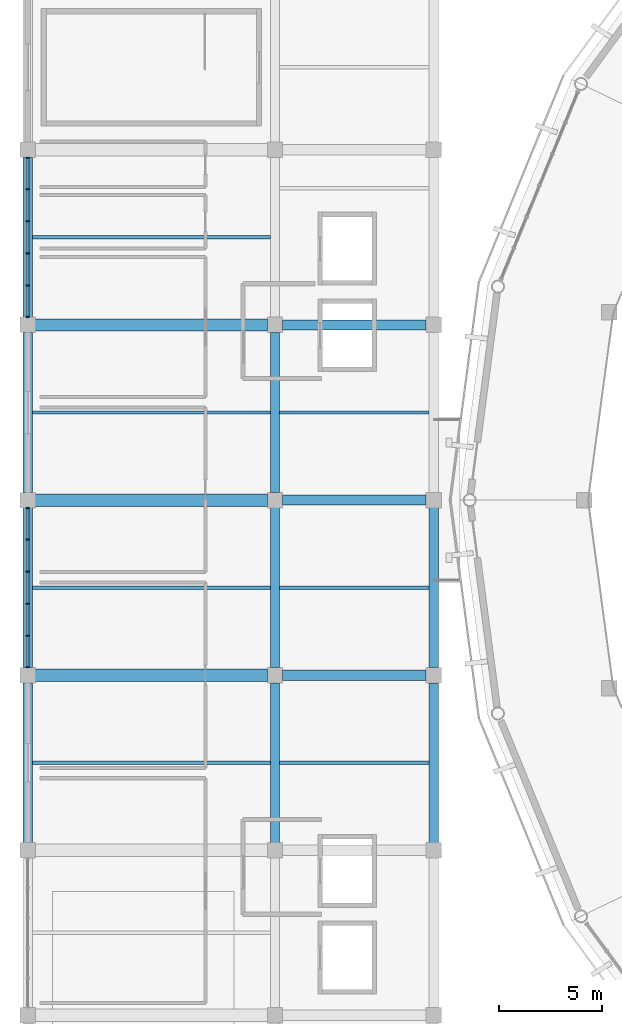
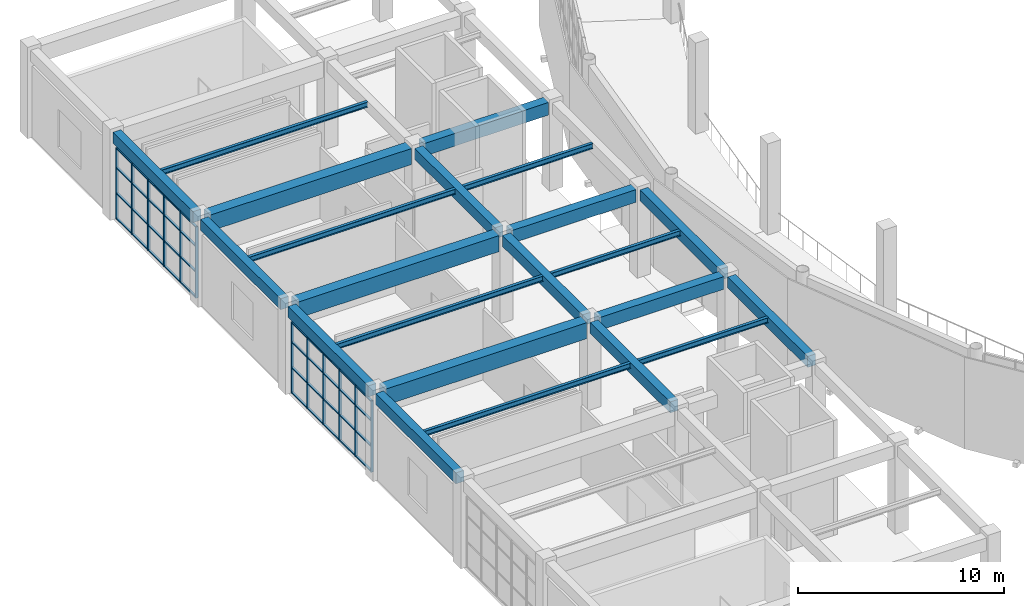
# One storey, part 11 of 40: 52 members, 22 beams, 2 elements without a shape of their own.
"""IFC4 building model written with IfcOpenShell, lengths in metres."""

import ifcopenshell
import ifcopenshell.guid

model = None  # the IFC model being written
_history = None  # IfcOwnerHistory: only IFC2X3 demands one
_inside = {}  # id of a spatial element -> (the spatial element, [elements in it])
_under = {}  # id of a project, library or spatial element -> (it, [spatial elements below it])
_declared = {}  # id of a project -> (the project, [libraries it declares])
_typed = {}  # id of a type object -> (the type object, [elements of that type])
_made_of = {}  # id of a material, layer set ... -> (it, [elements and type objects made of it])


def new_model(schema):
    """Start an empty IFC model of exactly this schema.

    Asked for "IFC4X3", IfcOpenShell would pick the latest addendum, in which some entities
    have other attributes; the version numbers below select the first issue.
    IFC2X3 requires an IfcOwnerHistory on every rooted entity: one is made here for all.
    """
    global model, _history
    if schema == "IFC4X3":
        model = ifcopenshell.file(schema_version=(4, 3, 0, 0))
    else:
        model = ifcopenshell.file(schema=schema)
    _inside.clear()
    _under.clear()
    _declared.clear()
    _typed.clear()
    _made_of.clear()
    _history = None
    if model.schema == "IFC2X3":
        org = make("IfcOrganization", Name="unknown")
        user = make(
            "IfcPersonAndOrganization",
            ThePerson=make("IfcPerson", FamilyName="unknown"),
            TheOrganization=org,
        )
        app = make(
            "IfcApplication",
            ApplicationDeveloper=org,
            Version="unknown",
            ApplicationFullName="unknown",
            ApplicationIdentifier="unknown",
        )
        _history = make(
            "IfcOwnerHistory",
            OwningUser=user,
            OwningApplication=app,
            ChangeAction="ADDED",
            CreationDate=0,
        )
    return model


def make(cls, **values):
    """One entity of the class cls with the attributes given. An attribute that is None is left unset."""
    return model.create_entity(
        cls, **{name: value for name, value in values.items() if value is not None}
    )


def rooted(cls, **values):
    """An entity with a GlobalId (a new one), such as an element, a storey or a relation."""
    return make(cls, GlobalId=ifcopenshell.guid.new(), OwnerHistory=_history, **values)


def si_unit(unit_type, name, prefix=None):
    """IfcSIUnit, for example si_unit("LENGTHUNIT", "METRE", prefix="MILLI")."""
    return make("IfcSIUnit", UnitType=unit_type, Prefix=prefix, Name=name)


def assignment(units):
    """IfcUnitAssignment: the units of a project."""
    return None if units is None else make("IfcUnitAssignment", Units=units)


def point(xyz):
    """IfcCartesianPoint."""
    return None if xyz is None else make("IfcCartesianPoint", Coordinates=xyz)


def direction(xyz):
    """IfcDirection."""
    return None if xyz is None else make("IfcDirection", DirectionRatios=xyz)


def frame(location, z_axis=None, x_axis=None):
    """IfcAxis2Placement3D, a coordinate frame: its origin and axes. An axis left out is left unset."""
    return make(
        "IfcAxis2Placement3D",
        Location=point(location),
        Axis=direction(z_axis),
        RefDirection=direction(x_axis),
    )


def frame_2d(location, x_axis=None):
    """IfcAxis2Placement2D, a coordinate frame in the plane: its origin and x axis."""
    return make(
        "IfcAxis2Placement2D", Location=point(location), RefDirection=direction(x_axis)
    )


def origin():
    """The frame at (0, 0, 0) with its axes left unset."""
    return frame((0.0, 0.0, 0.0))


def origin_2d():
    """The frame at (0, 0) in the plane with its x axis left unset."""
    return frame_2d((0.0, 0.0))


def place(relative_to, where):
    """IfcLocalPlacement: puts the frame where relative to a parent placement (None: the world)."""
    return make(
        "IfcLocalPlacement", PlacementRelTo=relative_to, RelativePlacement=where
    )


def context(
    kind, dimensions, precision=None, world=None, true_north=None, identifier=None
):
    """IfcGeometricRepresentationContext, for example the 3D "Model" context."""
    return make(
        "IfcGeometricRepresentationContext",
        ContextIdentifier=identifier,
        ContextType=kind,
        CoordinateSpaceDimension=dimensions,
        Precision=precision,
        WorldCoordinateSystem=world,
        TrueNorth=true_north,
    )


def subcontext(parent, identifier, kind, view, scale=None):
    """IfcGeometricRepresentationSubContext, for example "Body" below "Model"."""
    return make(
        "IfcGeometricRepresentationSubContext",
        ContextIdentifier=identifier,
        ContextType=kind,
        ParentContext=parent,
        TargetScale=scale,
        TargetView=view,
    )


def project(units=None, contexts=None):
    """IfcProject with its units and contexts."""
    return rooted(
        "IfcProject",
        Name="project",
        RepresentationContexts=contexts,
        UnitsInContext=assignment(units),
    )


def spatial(cls, under=None, at=None, **own):
    """A site, building, storey or space (cls), placed at a placement, below another one or the project."""
    s = rooted(cls, ObjectPlacement=at, **own)
    if under is not None:
        _under.setdefault(under.id(), (under, []))[1].append(s)
    return s


def profile(cls, at=None, kind="AREA", **sizes):
    """A parametric profile (cls). Its sizes go by their IFC names, for example OverallWidth=200.0."""
    return make(cls, ProfileType=kind, Position=at, **sizes)


def rectangle(**sizes):
    """IfcRectangleProfileDef."""
    return profile("IfcRectangleProfileDef", **sizes)


def i_section(**sizes):
    """IfcIShapeProfileDef."""
    return profile("IfcIShapeProfileDef", **sizes)


def extrude(swept, where, along, depth):
    """IfcExtrudedAreaSolid: the profile swept, set in the frame where, extruded along a direction by depth."""
    return make(
        "IfcExtrudedAreaSolid",
        SweptArea=swept,
        Position=where,
        ExtrudedDirection=direction(along),
        Depth=depth,
    )


def shape(context_of_items, identifier, shape_type, items):
    """IfcShapeRepresentation: the items that make up one representation, for example the "Body"."""
    return make(
        "IfcShapeRepresentation",
        ContextOfItems=context_of_items,
        RepresentationIdentifier=identifier,
        RepresentationType=shape_type,
        Items=items,
    )


def material(Name=None, Category=None):
    """IfcMaterial."""
    return make("IfcMaterial", Name=Name, Category=Category)


def material_profile(
    of_material, cross_section, Name=None, Category=None, Priority=None
):
    """IfcMaterialProfile: a cross section and its material."""
    return make(
        "IfcMaterialProfile",
        Name=Name,
        Material=of_material,
        Profile=cross_section,
        Priority=Priority,
        Category=Category,
    )


def profile_set(profiles, Name=None, composite=None):
    """IfcMaterialProfileSet."""
    return make(
        "IfcMaterialProfileSet",
        Name=Name,
        MaterialProfiles=profiles,
        CompositeProfile=composite,
    )


def made_of(thing, what):
    """Note that an element or type object is made of a material, layer set ...; save() writes the relation."""
    if what is not None:
        _made_of.setdefault(what.id(), (what, []))[1].append(thing)
    return thing


def type_object(cls, material=None, **own):
    """A type object (cls), such as IfcWallType, which elements share."""
    return made_of(rooted(cls, **own), material)


def element(
    cls,
    number,
    at=None,
    inside=None,
    cuts=None,
    type_object=None,
    material=None,
    context=None,
    identifier="Body",
    shape_type=None,
    held_by="IfcProductDefinitionShape",
    body=None,
    shapes=None,
    **own,
):
    """One element of the class cls, such as IfcWall. Its Tag is "e" and its number.

    at: its placement. inside: the storey or other place that contains it. cuts: it is an
    opening in that element (IfcRelVoidsElement). A single representation is given by context,
    identifier, shape_type and body (its items); several are given by shapes. held_by: the class
    of the entity that holds the representations. save() writes the other relations.
    """
    e = rooted(cls, Tag="e%d" % number, ObjectPlacement=at, **own)
    if body is not None:
        shapes = [shape(context, identifier, shape_type, body)]
    if shapes is not None:
        e.Representation = make(held_by, Representations=shapes)
    if inside is not None:
        _inside.setdefault(inside.id(), (inside, []))[1].append(e)
    if cuts is not None:
        rooted(
            "IfcRelVoidsElement", RelatingBuildingElement=cuts, RelatedOpeningElement=e
        )
    if type_object is not None:
        _typed.setdefault(type_object.id(), (type_object, []))[1].append(e)
    return made_of(e, material)


def aggregate(whole, parts):
    """IfcRelAggregates: a whole, such as a stair, and the parts it consists of."""
    return rooted("IfcRelAggregates", RelatingObject=whole, RelatedObjects=parts)


def save(model, path):
    """Write the relations noted so far, then the file.

    IfcRelAggregates (storeys below a building ...), IfcRelContainedInSpatialStructure (elements
    in a storey), IfcRelDefinesByType, IfcRelAssociatesMaterial and IfcRelDeclares: one each for
    every whole, place, type object, material and project.
    """
    for whole, parts in _under.values():
        aggregate(whole, parts)
    for where, things in _inside.values():
        rooted(
            "IfcRelContainedInSpatialStructure",
            RelatedElements=things,
            RelatingStructure=where,
        )
    for kind, things in _typed.values():
        rooted("IfcRelDefinesByType", RelatedObjects=things, RelatingType=kind)
    for what, things in _made_of.values():
        rooted("IfcRelAssociatesMaterial", RelatedObjects=things, RelatingMaterial=what)
    for by, libraries in _declared.values():
        rooted("IfcRelDeclares", RelatingContext=by, RelatedDefinitions=libraries)
    model.write(path)


model = new_model("IFC4")

# Units and contexts
model_context = context("Model", 3, precision=1e-05, world=origin(), true_north=direction((0.0, 1.0)))
body_context = subcontext(model_context, "Body", "Model", "MODEL_VIEW")
ifc_project = project(units=[si_unit("LENGTHUNIT", "METRE"), si_unit("AREAUNIT", "SQUARE_METRE"), si_unit("VOLUMEUNIT", "CUBIC_METRE"), si_unit("PLANEANGLEUNIT", "RADIAN"), si_unit("MASSUNIT", "GRAM", prefix="KILO")], contexts=[model_context])

# Site, building, storey
site_placement = place(None, origin())
site = spatial("IfcSite", under=ifc_project, at=site_placement, CompositionType="ELEMENT")
building_placement = place(site_placement, origin())
building = spatial("IfcBuilding", under=site, at=building_placement, Name="Cuetzalor Civic Arena", CompositionType="ELEMENT")
storey_placement = place(building_placement, frame((0.0, 0.0, 26.39990234375)))
storey = spatial("IfcBuildingStorey", under=building, at=storey_placement, Name="L05", CompositionType="ELEMENT", Elevation=26.39990234375)

# Beams
ifc_material_1 = material(Name="Concrete C40/50", Category="concrete")
ifc_material_profile_1 = material_profile(ifc_material_1, rectangle(XDim=0.5, YDim=0.75, at=origin_2d()), Name="RC 500x750")
ifc_profile_set_1 = profile_set([ifc_material_profile_1], Name="Concrete C40/50")
beam_type_1 = type_object("IfcBeamType", Name="ConcreteFrameBeam_500x750", PredefinedType="BEAM", material=ifc_profile_set_1)
for number, where, z_axis, x_axis, name in (
    (1, (-63.635009765625, -8.5, 4.80517578125), (1.0, 0.0, 0.0), (0.0, 1.0, 0.0), "Frame Girder V4W-L05-X1214"),
    (2, (-63.635009765625, 0.0, 4.80517578125), (1.0, 0.0, 0.0), (0.0, 1.0, 0.0), "Frame Girder V4W-L05-X1216"),
    (3, (-63.635009765625, 8.5, 4.80517578125), (1.0, 0.0, 0.0), (0.0, 1.0, 0.0), "Frame Girder V4W-L05-X1218"),
):
    element("IfcBeam", number, at=place(storey_placement, frame(where, z_axis=z_axis, x_axis=x_axis)), inside=storey, type_object=beam_type_1, Name=name, PredefinedType="BEAM", context=body_context, shape_type="SweptSolid", body=[
        extrude(rectangle(XDim=0.5, YDim=0.75, at=origin_2d()), origin(), (0.0, 0.0, 1.0), 6.969970703125),
    ])
ifc_material_2 = material(Name="Concrete C40/50", Category="concrete")
ifc_material_profile_2 = material_profile(ifc_material_2, rectangle(XDim=0.60009765625, YDim=0.949951171875, at=origin_2d()), Name="RC 600x950")
ifc_profile_set_2 = profile_set([ifc_material_profile_2], Name="Concrete C40/50")
beam_type_2 = type_object("IfcBeamType", Name="ConcreteFrameBeam_600x950", PredefinedType="BEAM", material=ifc_profile_set_2)
for number, where, z_axis, x_axis, name in (
    (4, (-75.635009765625, -8.5, 4.705078125), (1.0, 0.0, 0.0), (0.0, 1.0, 0.0), "Frame Girder V4W-L05-X1213"),
    (5, (-75.635009765625, 0.0, 4.705078125), (1.0, 0.0, 0.0), (0.0, 1.0, 0.0), "Frame Girder V4W-L05-X1215"),
    (6, (-75.635009765625, 8.5, 4.705078125), (1.0, 0.0, 0.0), (0.0, 1.0, 0.0), "Frame Girder V4W-L05-X1217"),
):
    element("IfcBeam", number, at=place(storey_placement, frame(where, z_axis=z_axis, x_axis=x_axis)), inside=storey, type_object=beam_type_2, Name=name, PredefinedType="BEAM", context=body_context, shape_type="SweptSolid", body=[
        extrude(rectangle(XDim=0.60009765625, YDim=0.949951171875, at=origin_2d()), origin(), (0.0, 0.0, 1.0), 11.27001953125),
    ])
ifc_material_3 = material(Name="Concrete C40/50", Category="concrete")
ifc_material_profile_3 = material_profile(ifc_material_3, rectangle(XDim=0.449951171875, YDim=0.64990234375, at=origin_2d()), Name="RC 450x650")
ifc_profile_set_3 = profile_set([ifc_material_profile_3], Name="Concrete C40/50")
beam_type_3 = type_object("IfcBeamType", Name="ConcreteTieBeam_450x650", PredefinedType="BEAM", material=ifc_profile_set_3)
for number, where, z_axis, x_axis, name in (
    (7, (-76.0, -16.635009765625, 4.85498046875), (0.0, 1.0, 0.0), (-1.0, 0.0, 0.0), "Frame Girder V4W-L05-Y1225"),
    (8, (-76.0, -8.135009765625, 4.85498046875), (0.0, 1.0, 0.0), (-1.0, 0.0, 0.0), "Frame Girder V4W-L05-Y1226"),
    (9, (-76.0, 0.364990234375, 4.85498046875), (0.0, 1.0, 0.0), (-1.0, 0.0, 0.0), "Frame Girder V4W-L05-Y1227"),
    (10, (-76.0, 8.864990234375, 4.85498046875), (0.0, 1.0, 0.0), (-1.0, 0.0, 0.0), "Frame Girder V4W-L05-Y1228"),
    (11, (-64.0, -16.635009765625, 4.85498046875), (0.0, 1.0, 0.0), (-1.0, 0.0, 0.0), "Frame Girder V4W-L05-Y1232"),
    (12, (-64.0, -8.135009765625, 4.85498046875), (0.0, 1.0, 0.0), (-1.0, 0.0, 0.0), "Frame Girder V4W-L05-Y1233"),
    (13, (-64.0, 0.364990234375, 4.85498046875), (0.0, 1.0, 0.0), (-1.0, 0.0, 0.0), "Frame Girder V4W-L05-Y1234"),
    (14, (-56.300048828125, -16.635009765625, 4.85498046875), (0.0, 1.0, 0.0), (-1.0, 0.0, 0.0), "Frame Girder V4W-L05-Y1239"),
    (15, (-56.300048828125, -8.135009765625, 4.85498046875), (0.0, 1.0, 0.0), (-1.0, 0.0, 0.0), "Frame Girder V4W-L05-Y1240"),
):
    element("IfcBeam", number, at=place(storey_placement, frame(where, z_axis=z_axis, x_axis=x_axis)), inside=storey, type_object=beam_type_3, Name=name, PredefinedType="BEAM", context=body_context, shape_type="SweptSolid", body=[
        extrude(rectangle(XDim=0.449951171875, YDim=0.64990234375, at=origin_2d()), origin(), (0.0, 0.0, 1.0), 7.77001953125),
    ])

# Curtain wall, members
ifc_material_4 = material(Name="Anodised dark bronze aluminium and low-E solar glass", Category="aluminium")
curtain_wall_type = type_object("IfcCurtainWallType", Name="UnitisedCW_7800x4200", PredefinedType="USERDEFINED", material=ifc_material_4)
curtain_wall_1_placement = place(storey_placement, origin())
curtain_wall_1 = element("IfcCurtainWall", 16, at=curtain_wall_1_placement, inside=storey, type_object=curtain_wall_type, Name="V4W Media Broadcast Curtain Wall L05-128", ObjectType="UNITISED CURTAIN WALL", PredefinedType="USERDEFINED")
ifc_material_5 = material(Name="Anodised dark bronze aluminium", Category="aluminium")
ifc_material_profile_4 = material_profile(ifc_material_5, rectangle(XDim=0.06494140625, YDim=0.14990234375, at=origin_2d()), Name="ALU MULLION 65x150")
ifc_profile_set_4 = profile_set([ifc_material_profile_4], Name="Anodised dark bronze aluminium")
member_type_1 = type_object("IfcMemberType", Name="CurtainWallMullion_60x150", PredefinedType="MULLION", material=ifc_profile_set_4)
member_1_placement = place(storey_placement, frame((-76.0, -8.110595703125, 0.0), z_axis=(0.0, 0.0, 1.0), x_axis=(0.0, 1.0, 0.0)))
member_1 = element("IfcMember", 17, at=member_1_placement, type_object=member_type_1, Name="CW-50 mullion 1", PredefinedType="MULLION", context=body_context, shape_type="SweptSolid", body=[
    extrude(rectangle(XDim=0.06494140625, YDim=0.14990234375, at=origin_2d()), origin(), (0.0, 0.0, 1.0), 4.22021484375),
])
member_2_placement = place(storey_placement, frame((-76.0, -6.585693359375, 0.0), z_axis=(0.0, 0.0, 1.0), x_axis=(0.0, 1.0, 0.0)))
member_2 = element("IfcMember", 18, at=member_2_placement, type_object=member_type_1, Name="CW-50 mullion 2", PredefinedType="MULLION", context=body_context, shape_type="SweptSolid", body=[
    extrude(rectangle(XDim=0.06494140625, YDim=0.14990234375, at=origin_2d()), origin(), (0.0, 0.0, 1.0), 4.22021484375),
])
member_3_placement = place(storey_placement, frame((-76.0, -5.028564453125, 0.0), z_axis=(0.0, 0.0, 1.0), x_axis=(0.0, 1.0, 0.0)))
member_3 = element("IfcMember", 19, at=member_3_placement, type_object=member_type_1, Name="CW-50 mullion 3", PredefinedType="MULLION", context=body_context, shape_type="SweptSolid", body=[
    extrude(rectangle(XDim=0.06494140625, YDim=0.14990234375, at=origin_2d()), origin(), (0.0, 0.0, 1.0), 4.22021484375),
])
member_4_placement = place(storey_placement, frame((-76.0, -3.471435546875, 0.0), z_axis=(0.0, 0.0, 1.0), x_axis=(0.0, 1.0, 0.0)))
member_4 = element("IfcMember", 20, at=member_4_placement, type_object=member_type_1, Name="CW-50 mullion 4", PredefinedType="MULLION", context=body_context, shape_type="SweptSolid", body=[
    extrude(rectangle(XDim=0.06494140625, YDim=0.14990234375, at=origin_2d()), origin(), (0.0, 0.0, 1.0), 4.22021484375),
])
member_5_placement = place(storey_placement, frame((-76.0, -1.914306640625, 0.0), z_axis=(0.0, 0.0, 1.0), x_axis=(0.0, 1.0, 0.0)))
member_5 = element("IfcMember", 21, at=member_5_placement, type_object=member_type_1, Name="CW-50 mullion 5", PredefinedType="MULLION", context=body_context, shape_type="SweptSolid", body=[
    extrude(rectangle(XDim=0.06494140625, YDim=0.14990234375, at=origin_2d()), origin(), (0.0, 0.0, 1.0), 4.22021484375),
])
member_6_placement = place(storey_placement, frame((-76.0, -0.389404296875, 0.0), z_axis=(0.0, 0.0, 1.0), x_axis=(0.0, 1.0, 0.0)))
member_6 = element("IfcMember", 22, at=member_6_placement, type_object=member_type_1, Name="CW-50 mullion 6", PredefinedType="MULLION", context=body_context, shape_type="SweptSolid", body=[
    extrude(rectangle(XDim=0.06494140625, YDim=0.14990234375, at=origin_2d()), origin(), (0.0, 0.0, 1.0), 4.22021484375),
])

curtain_wall_2_placement = place(storey_placement, origin())
curtain_wall_2 = element("IfcCurtainWall", 23, at=curtain_wall_2_placement, inside=storey, type_object=curtain_wall_type, Name="V4W Media Broadcast Curtain Wall L05-129", ObjectType="UNITISED CURTAIN WALL", PredefinedType="USERDEFINED")
member_7_placement = place(storey_placement, frame((-76.0, 8.889404296875, 0.0), z_axis=(0.0, 0.0, 1.0), x_axis=(0.0, 1.0, 0.0)))
member_7 = element("IfcMember", 24, at=member_7_placement, type_object=member_type_1, Name="CW-50 mullion 1", PredefinedType="MULLION", context=body_context, shape_type="SweptSolid", body=[
    extrude(rectangle(XDim=0.06494140625, YDim=0.14990234375, at=origin_2d()), origin(), (0.0, 0.0, 1.0), 4.22021484375),
])
member_8_placement = place(storey_placement, frame((-76.0, 10.414306640625, 0.0), z_axis=(0.0, 0.0, 1.0), x_axis=(0.0, 1.0, 0.0)))
member_8 = element("IfcMember", 25, at=member_8_placement, type_object=member_type_1, Name="CW-50 mullion 2", PredefinedType="MULLION", context=body_context, shape_type="SweptSolid", body=[
    extrude(rectangle(XDim=0.06494140625, YDim=0.14990234375, at=origin_2d()), origin(), (0.0, 0.0, 1.0), 4.22021484375),
])
member_9_placement = place(storey_placement, frame((-76.0, 11.971435546875, 0.0), z_axis=(0.0, 0.0, 1.0), x_axis=(0.0, 1.0, 0.0)))
member_9 = element("IfcMember", 26, at=member_9_placement, type_object=member_type_1, Name="CW-50 mullion 3", PredefinedType="MULLION", context=body_context, shape_type="SweptSolid", body=[
    extrude(rectangle(XDim=0.06494140625, YDim=0.14990234375, at=origin_2d()), origin(), (0.0, 0.0, 1.0), 4.22021484375),
])
member_10_placement = place(storey_placement, frame((-76.0, 13.528564453125, 0.0), z_axis=(0.0, 0.0, 1.0), x_axis=(0.0, 1.0, 0.0)))
member_10 = element("IfcMember", 27, at=member_10_placement, type_object=member_type_1, Name="CW-50 mullion 4", PredefinedType="MULLION", context=body_context, shape_type="SweptSolid", body=[
    extrude(rectangle(XDim=0.06494140625, YDim=0.14990234375, at=origin_2d()), origin(), (0.0, 0.0, 1.0), 4.22021484375),
])
member_11_placement = place(storey_placement, frame((-76.0, 15.085693359375, 0.0), z_axis=(0.0, 0.0, 1.0), x_axis=(0.0, 1.0, 0.0)))
member_11 = element("IfcMember", 28, at=member_11_placement, type_object=member_type_1, Name="CW-50 mullion 5", PredefinedType="MULLION", context=body_context, shape_type="SweptSolid", body=[
    extrude(rectangle(XDim=0.06494140625, YDim=0.14990234375, at=origin_2d()), origin(), (0.0, 0.0, 1.0), 4.22021484375),
])
member_12_placement = place(storey_placement, frame((-76.0, 16.610595703125, 0.0), z_axis=(0.0, 0.0, 1.0), x_axis=(0.0, 1.0, 0.0)))
member_12 = element("IfcMember", 29, at=member_12_placement, type_object=member_type_1, Name="CW-50 mullion 6", PredefinedType="MULLION", context=body_context, shape_type="SweptSolid", body=[
    extrude(rectangle(XDim=0.06494140625, YDim=0.14990234375, at=origin_2d()), origin(), (0.0, 0.0, 1.0), 4.22021484375),
])

# Member
ifc_material_6 = material(Name="Anodised dark bronze aluminium", Category="aluminium")
ifc_material_profile_5 = material_profile(ifc_material_6, rectangle(XDim=0.1201171875, YDim=0.06494140625, at=origin_2d()), Name="ALU TRANSOM 65x120")
ifc_profile_set_5 = profile_set([ifc_material_profile_5], Name="Anodised dark bronze aluminium")
member_type_2 = type_object("IfcMemberType", Name="CurtainWallTransom_60x120", PredefinedType="USERDEFINED", material=ifc_profile_set_5)
member_13_placement = place(storey_placement, frame((-76.0, -8.077880859375, 0.03271484375), z_axis=(0.0, 1.0, 0.0), x_axis=(-1.0, 0.0, 0.0)))
member_13 = element("IfcMember", 30, at=member_13_placement, type_object=member_type_2, Name="CW-50 transom 1.1", ObjectType="TRANSOM", PredefinedType="USERDEFINED", context=body_context, shape_type="SweptSolid", body=[
    extrude(rectangle(XDim=0.1201171875, YDim=0.06494140625, at=origin_2d()), origin(), (0.0, 0.0, 1.0), 1.45947265625),
])

member_14_placement = place(storey_placement, frame((-76.0, -8.077880859375, 1.51904296875), z_axis=(0.0, 1.0, 0.0), x_axis=(-1.0, 0.0, 0.0)))
member_14 = element("IfcMember", 31, at=member_14_placement, type_object=member_type_2, Name="CW-50 transom 1.2", ObjectType="TRANSOM", PredefinedType="USERDEFINED", context=body_context, shape_type="SweptSolid", body=[
    extrude(rectangle(XDim=0.1201171875, YDim=0.06494140625, at=origin_2d()), origin(), (0.0, 0.0, 1.0), 1.45947265625),
])

member_15_placement = place(storey_placement, frame((-76.0, -8.077880859375, 3.0380859375), z_axis=(0.0, 1.0, 0.0), x_axis=(-1.0, 0.0, 0.0)))
member_15 = element("IfcMember", 32, at=member_15_placement, type_object=member_type_2, Name="CW-50 transom 1.3", ObjectType="TRANSOM", PredefinedType="USERDEFINED", context=body_context, shape_type="SweptSolid", body=[
    extrude(rectangle(XDim=0.1201171875, YDim=0.06494140625, at=origin_2d()), origin(), (0.0, 0.0, 1.0), 1.45947265625),
])

member_16_placement = place(storey_placement, frame((-76.0, -8.077880859375, 4.1875), z_axis=(0.0, 1.0, 0.0), x_axis=(-1.0, 0.0, 0.0)))
member_16 = element("IfcMember", 33, at=member_16_placement, type_object=member_type_2, Name="CW-50 transom 1.4", ObjectType="TRANSOM", PredefinedType="USERDEFINED", context=body_context, shape_type="SweptSolid", body=[
    extrude(rectangle(XDim=0.1201171875, YDim=0.06494140625, at=origin_2d()), origin(), (0.0, 0.0, 1.0), 1.45947265625),
])

member_17_placement = place(storey_placement, frame((-76.0, -6.55322265625, 0.03271484375), z_axis=(0.0, 1.0, 0.0), x_axis=(-1.0, 0.0, 0.0)))
member_17 = element("IfcMember", 34, at=member_17_placement, type_object=member_type_2, Name="CW-50 transom 2.1", ObjectType="TRANSOM", PredefinedType="USERDEFINED", context=body_context, shape_type="SweptSolid", body=[
    extrude(rectangle(XDim=0.1201171875, YDim=0.06494140625, at=origin_2d()), origin(), (0.0, 0.0, 1.0), 1.4921875),
])

member_18_placement = place(storey_placement, frame((-76.0, -6.55322265625, 1.51904296875), z_axis=(0.0, 1.0, 0.0), x_axis=(-1.0, 0.0, 0.0)))
member_18 = element("IfcMember", 35, at=member_18_placement, type_object=member_type_2, Name="CW-50 transom 2.2", ObjectType="TRANSOM", PredefinedType="USERDEFINED", context=body_context, shape_type="SweptSolid", body=[
    extrude(rectangle(XDim=0.1201171875, YDim=0.06494140625, at=origin_2d()), origin(), (0.0, 0.0, 1.0), 1.4921875),
])

member_19_placement = place(storey_placement, frame((-76.0, -6.55322265625, 3.0380859375), z_axis=(0.0, 1.0, 0.0), x_axis=(-1.0, 0.0, 0.0)))
member_19 = element("IfcMember", 36, at=member_19_placement, type_object=member_type_2, Name="CW-50 transom 2.3", ObjectType="TRANSOM", PredefinedType="USERDEFINED", context=body_context, shape_type="SweptSolid", body=[
    extrude(rectangle(XDim=0.1201171875, YDim=0.06494140625, at=origin_2d()), origin(), (0.0, 0.0, 1.0), 1.4921875),
])

member_20_placement = place(storey_placement, frame((-76.0, -6.55322265625, 4.1875), z_axis=(0.0, 1.0, 0.0), x_axis=(-1.0, 0.0, 0.0)))
member_20 = element("IfcMember", 37, at=member_20_placement, type_object=member_type_2, Name="CW-50 transom 2.4", ObjectType="TRANSOM", PredefinedType="USERDEFINED", context=body_context, shape_type="SweptSolid", body=[
    extrude(rectangle(XDim=0.1201171875, YDim=0.06494140625, at=origin_2d()), origin(), (0.0, 0.0, 1.0), 1.4921875),
])

member_21_placement = place(storey_placement, frame((-76.0, -4.99609375, 0.03271484375), z_axis=(0.0, 1.0, 0.0), x_axis=(-1.0, 0.0, 0.0)))
member_21 = element("IfcMember", 38, at=member_21_placement, type_object=member_type_2, Name="CW-50 transom 3.1", ObjectType="TRANSOM", PredefinedType="USERDEFINED", context=body_context, shape_type="SweptSolid", body=[
    extrude(rectangle(XDim=0.1201171875, YDim=0.06494140625, at=origin_2d()), origin(), (0.0, 0.0, 1.0), 1.4921875),
])

member_22_placement = place(storey_placement, frame((-76.0, -4.99609375, 1.51904296875), z_axis=(0.0, 1.0, 0.0), x_axis=(-1.0, 0.0, 0.0)))
member_22 = element("IfcMember", 39, at=member_22_placement, type_object=member_type_2, Name="CW-50 transom 3.2", ObjectType="TRANSOM", PredefinedType="USERDEFINED", context=body_context, shape_type="SweptSolid", body=[
    extrude(rectangle(XDim=0.1201171875, YDim=0.06494140625, at=origin_2d()), origin(), (0.0, 0.0, 1.0), 1.4921875),
])

member_23_placement = place(storey_placement, frame((-76.0, -4.99609375, 3.0380859375), z_axis=(0.0, 1.0, 0.0), x_axis=(-1.0, 0.0, 0.0)))
member_23 = element("IfcMember", 40, at=member_23_placement, type_object=member_type_2, Name="CW-50 transom 3.3", ObjectType="TRANSOM", PredefinedType="USERDEFINED", context=body_context, shape_type="SweptSolid", body=[
    extrude(rectangle(XDim=0.1201171875, YDim=0.06494140625, at=origin_2d()), origin(), (0.0, 0.0, 1.0), 1.4921875),
])

member_24_placement = place(storey_placement, frame((-76.0, -4.99609375, 4.1875), z_axis=(0.0, 1.0, 0.0), x_axis=(-1.0, 0.0, 0.0)))
member_24 = element("IfcMember", 41, at=member_24_placement, type_object=member_type_2, Name="CW-50 transom 3.4", ObjectType="TRANSOM", PredefinedType="USERDEFINED", context=body_context, shape_type="SweptSolid", body=[
    extrude(rectangle(XDim=0.1201171875, YDim=0.06494140625, at=origin_2d()), origin(), (0.0, 0.0, 1.0), 1.4921875),
])

member_25_placement = place(storey_placement, frame((-76.0, -3.43896484375, 0.03271484375), z_axis=(0.0, 1.0, 0.0), x_axis=(-1.0, 0.0, 0.0)))
member_25 = element("IfcMember", 42, at=member_25_placement, type_object=member_type_2, Name="CW-50 transom 4.1", ObjectType="TRANSOM", PredefinedType="USERDEFINED", context=body_context, shape_type="SweptSolid", body=[
    extrude(rectangle(XDim=0.1201171875, YDim=0.06494140625, at=origin_2d()), origin(), (0.0, 0.0, 1.0), 1.4921875),
])

member_26_placement = place(storey_placement, frame((-76.0, -3.43896484375, 1.51904296875), z_axis=(0.0, 1.0, 0.0), x_axis=(-1.0, 0.0, 0.0)))
member_26 = element("IfcMember", 43, at=member_26_placement, type_object=member_type_2, Name="CW-50 transom 4.2", ObjectType="TRANSOM", PredefinedType="USERDEFINED", context=body_context, shape_type="SweptSolid", body=[
    extrude(rectangle(XDim=0.1201171875, YDim=0.06494140625, at=origin_2d()), origin(), (0.0, 0.0, 1.0), 1.4921875),
])

member_27_placement = place(storey_placement, frame((-76.0, -3.43896484375, 3.0380859375), z_axis=(0.0, 1.0, 0.0), x_axis=(-1.0, 0.0, 0.0)))
member_27 = element("IfcMember", 44, at=member_27_placement, type_object=member_type_2, Name="CW-50 transom 4.3", ObjectType="TRANSOM", PredefinedType="USERDEFINED", context=body_context, shape_type="SweptSolid", body=[
    extrude(rectangle(XDim=0.1201171875, YDim=0.06494140625, at=origin_2d()), origin(), (0.0, 0.0, 1.0), 1.4921875),
])

member_28_placement = place(storey_placement, frame((-76.0, -3.43896484375, 4.1875), z_axis=(0.0, 1.0, 0.0), x_axis=(-1.0, 0.0, 0.0)))
member_28 = element("IfcMember", 45, at=member_28_placement, type_object=member_type_2, Name="CW-50 transom 4.4", ObjectType="TRANSOM", PredefinedType="USERDEFINED", context=body_context, shape_type="SweptSolid", body=[
    extrude(rectangle(XDim=0.1201171875, YDim=0.06494140625, at=origin_2d()), origin(), (0.0, 0.0, 1.0), 1.4921875),
])

member_29_placement = place(storey_placement, frame((-76.0, -1.881591796875, 0.03271484375), z_axis=(0.0, 1.0, 0.0), x_axis=(-1.0, 0.0, 0.0)))
member_29 = element("IfcMember", 46, at=member_29_placement, type_object=member_type_2, Name="CW-50 transom 5.1", ObjectType="TRANSOM", PredefinedType="USERDEFINED", context=body_context, shape_type="SweptSolid", body=[
    extrude(rectangle(XDim=0.1201171875, YDim=0.06494140625, at=origin_2d()), origin(), (0.0, 0.0, 1.0), 1.45947265625),
])

member_30_placement = place(storey_placement, frame((-76.0, -1.881591796875, 1.51904296875), z_axis=(0.0, 1.0, 0.0), x_axis=(-1.0, 0.0, 0.0)))
member_30 = element("IfcMember", 47, at=member_30_placement, type_object=member_type_2, Name="CW-50 transom 5.2", ObjectType="TRANSOM", PredefinedType="USERDEFINED", context=body_context, shape_type="SweptSolid", body=[
    extrude(rectangle(XDim=0.1201171875, YDim=0.06494140625, at=origin_2d()), origin(), (0.0, 0.0, 1.0), 1.45947265625),
])

member_31_placement = place(storey_placement, frame((-76.0, -1.881591796875, 3.0380859375), z_axis=(0.0, 1.0, 0.0), x_axis=(-1.0, 0.0, 0.0)))
member_31 = element("IfcMember", 48, at=member_31_placement, type_object=member_type_2, Name="CW-50 transom 5.3", ObjectType="TRANSOM", PredefinedType="USERDEFINED", context=body_context, shape_type="SweptSolid", body=[
    extrude(rectangle(XDim=0.1201171875, YDim=0.06494140625, at=origin_2d()), origin(), (0.0, 0.0, 1.0), 1.45947265625),
])

member_32_placement = place(storey_placement, frame((-76.0, -1.881591796875, 4.1875), z_axis=(0.0, 1.0, 0.0), x_axis=(-1.0, 0.0, 0.0)))
member_32 = element("IfcMember", 49, at=member_32_placement, type_object=member_type_2, Name="CW-50 transom 5.4", ObjectType="TRANSOM", PredefinedType="USERDEFINED", context=body_context, shape_type="SweptSolid", body=[
    extrude(rectangle(XDim=0.1201171875, YDim=0.06494140625, at=origin_2d()), origin(), (0.0, 0.0, 1.0), 1.45947265625),
])

aggregate(curtain_wall_1, [member_1, member_2, member_3, member_4, member_5, member_6, member_13, member_14, member_15, member_16, member_17, member_18, member_19, member_20, member_21, member_22, member_23, member_24, member_25, member_26, member_27, member_28, member_29, member_30, member_31, member_32])

member_33_placement = place(storey_placement, frame((-76.0, 8.922119140625, 0.03271484375), z_axis=(0.0, 1.0, 0.0), x_axis=(-1.0, 0.0, 0.0)))
member_33 = element("IfcMember", 50, at=member_33_placement, type_object=member_type_2, Name="CW-50 transom 1.1", ObjectType="TRANSOM", PredefinedType="USERDEFINED", context=body_context, shape_type="SweptSolid", body=[
    extrude(rectangle(XDim=0.1201171875, YDim=0.06494140625, at=origin_2d()), origin(), (0.0, 0.0, 1.0), 1.45947265625),
])

member_34_placement = place(storey_placement, frame((-76.0, 8.922119140625, 1.51904296875), z_axis=(0.0, 1.0, 0.0), x_axis=(-1.0, 0.0, 0.0)))
member_34 = element("IfcMember", 51, at=member_34_placement, type_object=member_type_2, Name="CW-50 transom 1.2", ObjectType="TRANSOM", PredefinedType="USERDEFINED", context=body_context, shape_type="SweptSolid", body=[
    extrude(rectangle(XDim=0.1201171875, YDim=0.06494140625, at=origin_2d()), origin(), (0.0, 0.0, 1.0), 1.45947265625),
])

member_35_placement = place(storey_placement, frame((-76.0, 8.922119140625, 3.0380859375), z_axis=(0.0, 1.0, 0.0), x_axis=(-1.0, 0.0, 0.0)))
member_35 = element("IfcMember", 52, at=member_35_placement, type_object=member_type_2, Name="CW-50 transom 1.3", ObjectType="TRANSOM", PredefinedType="USERDEFINED", context=body_context, shape_type="SweptSolid", body=[
    extrude(rectangle(XDim=0.1201171875, YDim=0.06494140625, at=origin_2d()), origin(), (0.0, 0.0, 1.0), 1.45947265625),
])

member_36_placement = place(storey_placement, frame((-76.0, 8.922119140625, 4.1875), z_axis=(0.0, 1.0, 0.0), x_axis=(-1.0, 0.0, 0.0)))
member_36 = element("IfcMember", 53, at=member_36_placement, type_object=member_type_2, Name="CW-50 transom 1.4", ObjectType="TRANSOM", PredefinedType="USERDEFINED", context=body_context, shape_type="SweptSolid", body=[
    extrude(rectangle(XDim=0.1201171875, YDim=0.06494140625, at=origin_2d()), origin(), (0.0, 0.0, 1.0), 1.45947265625),
])

member_37_placement = place(storey_placement, frame((-76.0, 10.44677734375, 0.03271484375), z_axis=(0.0, 1.0, 0.0), x_axis=(-1.0, 0.0, 0.0)))
member_37 = element("IfcMember", 54, at=member_37_placement, type_object=member_type_2, Name="CW-50 transom 2.1", ObjectType="TRANSOM", PredefinedType="USERDEFINED", context=body_context, shape_type="SweptSolid", body=[
    extrude(rectangle(XDim=0.1201171875, YDim=0.06494140625, at=origin_2d()), origin(), (0.0, 0.0, 1.0), 1.4921875),
])

member_38_placement = place(storey_placement, frame((-76.0, 10.44677734375, 1.51904296875), z_axis=(0.0, 1.0, 0.0), x_axis=(-1.0, 0.0, 0.0)))
member_38 = element("IfcMember", 55, at=member_38_placement, type_object=member_type_2, Name="CW-50 transom 2.2", ObjectType="TRANSOM", PredefinedType="USERDEFINED", context=body_context, shape_type="SweptSolid", body=[
    extrude(rectangle(XDim=0.1201171875, YDim=0.06494140625, at=origin_2d()), origin(), (0.0, 0.0, 1.0), 1.4921875),
])

member_39_placement = place(storey_placement, frame((-76.0, 10.44677734375, 3.0380859375), z_axis=(0.0, 1.0, 0.0), x_axis=(-1.0, 0.0, 0.0)))
member_39 = element("IfcMember", 56, at=member_39_placement, type_object=member_type_2, Name="CW-50 transom 2.3", ObjectType="TRANSOM", PredefinedType="USERDEFINED", context=body_context, shape_type="SweptSolid", body=[
    extrude(rectangle(XDim=0.1201171875, YDim=0.06494140625, at=origin_2d()), origin(), (0.0, 0.0, 1.0), 1.4921875),
])

member_40_placement = place(storey_placement, frame((-76.0, 10.44677734375, 4.1875), z_axis=(0.0, 1.0, 0.0), x_axis=(-1.0, 0.0, 0.0)))
member_40 = element("IfcMember", 57, at=member_40_placement, type_object=member_type_2, Name="CW-50 transom 2.4", ObjectType="TRANSOM", PredefinedType="USERDEFINED", context=body_context, shape_type="SweptSolid", body=[
    extrude(rectangle(XDim=0.1201171875, YDim=0.06494140625, at=origin_2d()), origin(), (0.0, 0.0, 1.0), 1.4921875),
])

member_41_placement = place(storey_placement, frame((-76.0, 12.00390625, 0.03271484375), z_axis=(0.0, 1.0, 0.0), x_axis=(-1.0, 0.0, 0.0)))
member_41 = element("IfcMember", 58, at=member_41_placement, type_object=member_type_2, Name="CW-50 transom 3.1", ObjectType="TRANSOM", PredefinedType="USERDEFINED", context=body_context, shape_type="SweptSolid", body=[
    extrude(rectangle(XDim=0.1201171875, YDim=0.06494140625, at=origin_2d()), origin(), (0.0, 0.0, 1.0), 1.4921875),
])

member_42_placement = place(storey_placement, frame((-76.0, 12.00390625, 1.51904296875), z_axis=(0.0, 1.0, 0.0), x_axis=(-1.0, 0.0, 0.0)))
member_42 = element("IfcMember", 59, at=member_42_placement, type_object=member_type_2, Name="CW-50 transom 3.2", ObjectType="TRANSOM", PredefinedType="USERDEFINED", context=body_context, shape_type="SweptSolid", body=[
    extrude(rectangle(XDim=0.1201171875, YDim=0.06494140625, at=origin_2d()), origin(), (0.0, 0.0, 1.0), 1.4921875),
])

member_43_placement = place(storey_placement, frame((-76.0, 12.00390625, 3.0380859375), z_axis=(0.0, 1.0, 0.0), x_axis=(-1.0, 0.0, 0.0)))
member_43 = element("IfcMember", 60, at=member_43_placement, type_object=member_type_2, Name="CW-50 transom 3.3", ObjectType="TRANSOM", PredefinedType="USERDEFINED", context=body_context, shape_type="SweptSolid", body=[
    extrude(rectangle(XDim=0.1201171875, YDim=0.06494140625, at=origin_2d()), origin(), (0.0, 0.0, 1.0), 1.4921875),
])

member_44_placement = place(storey_placement, frame((-76.0, 12.00390625, 4.1875), z_axis=(0.0, 1.0, 0.0), x_axis=(-1.0, 0.0, 0.0)))
member_44 = element("IfcMember", 61, at=member_44_placement, type_object=member_type_2, Name="CW-50 transom 3.4", ObjectType="TRANSOM", PredefinedType="USERDEFINED", context=body_context, shape_type="SweptSolid", body=[
    extrude(rectangle(XDim=0.1201171875, YDim=0.06494140625, at=origin_2d()), origin(), (0.0, 0.0, 1.0), 1.4921875),
])

member_45_placement = place(storey_placement, frame((-76.0, 13.56103515625, 0.03271484375), z_axis=(0.0, 1.0, 0.0), x_axis=(-1.0, 0.0, 0.0)))
member_45 = element("IfcMember", 62, at=member_45_placement, type_object=member_type_2, Name="CW-50 transom 4.1", ObjectType="TRANSOM", PredefinedType="USERDEFINED", context=body_context, shape_type="SweptSolid", body=[
    extrude(rectangle(XDim=0.1201171875, YDim=0.06494140625, at=origin_2d()), origin(), (0.0, 0.0, 1.0), 1.4921875),
])

member_46_placement = place(storey_placement, frame((-76.0, 13.56103515625, 1.51904296875), z_axis=(0.0, 1.0, 0.0), x_axis=(-1.0, 0.0, 0.0)))
member_46 = element("IfcMember", 63, at=member_46_placement, type_object=member_type_2, Name="CW-50 transom 4.2", ObjectType="TRANSOM", PredefinedType="USERDEFINED", context=body_context, shape_type="SweptSolid", body=[
    extrude(rectangle(XDim=0.1201171875, YDim=0.06494140625, at=origin_2d()), origin(), (0.0, 0.0, 1.0), 1.4921875),
])

member_47_placement = place(storey_placement, frame((-76.0, 13.56103515625, 3.0380859375), z_axis=(0.0, 1.0, 0.0), x_axis=(-1.0, 0.0, 0.0)))
member_47 = element("IfcMember", 64, at=member_47_placement, type_object=member_type_2, Name="CW-50 transom 4.3", ObjectType="TRANSOM", PredefinedType="USERDEFINED", context=body_context, shape_type="SweptSolid", body=[
    extrude(rectangle(XDim=0.1201171875, YDim=0.06494140625, at=origin_2d()), origin(), (0.0, 0.0, 1.0), 1.4921875),
])

member_48_placement = place(storey_placement, frame((-76.0, 13.56103515625, 4.1875), z_axis=(0.0, 1.0, 0.0), x_axis=(-1.0, 0.0, 0.0)))
member_48 = element("IfcMember", 65, at=member_48_placement, type_object=member_type_2, Name="CW-50 transom 4.4", ObjectType="TRANSOM", PredefinedType="USERDEFINED", context=body_context, shape_type="SweptSolid", body=[
    extrude(rectangle(XDim=0.1201171875, YDim=0.06494140625, at=origin_2d()), origin(), (0.0, 0.0, 1.0), 1.4921875),
])

member_49_placement = place(storey_placement, frame((-76.0, 15.118408203125, 0.03271484375), z_axis=(0.0, 1.0, 0.0), x_axis=(-1.0, 0.0, 0.0)))
member_49 = element("IfcMember", 66, at=member_49_placement, type_object=member_type_2, Name="CW-50 transom 5.1", ObjectType="TRANSOM", PredefinedType="USERDEFINED", context=body_context, shape_type="SweptSolid", body=[
    extrude(rectangle(XDim=0.1201171875, YDim=0.06494140625, at=origin_2d()), origin(), (0.0, 0.0, 1.0), 1.45947265625),
])

member_50_placement = place(storey_placement, frame((-76.0, 15.118408203125, 1.51904296875), z_axis=(0.0, 1.0, 0.0), x_axis=(-1.0, 0.0, 0.0)))
member_50 = element("IfcMember", 67, at=member_50_placement, type_object=member_type_2, Name="CW-50 transom 5.2", ObjectType="TRANSOM", PredefinedType="USERDEFINED", context=body_context, shape_type="SweptSolid", body=[
    extrude(rectangle(XDim=0.1201171875, YDim=0.06494140625, at=origin_2d()), origin(), (0.0, 0.0, 1.0), 1.45947265625),
])

member_51_placement = place(storey_placement, frame((-76.0, 15.118408203125, 3.0380859375), z_axis=(0.0, 1.0, 0.0), x_axis=(-1.0, 0.0, 0.0)))
member_51 = element("IfcMember", 68, at=member_51_placement, type_object=member_type_2, Name="CW-50 transom 5.3", ObjectType="TRANSOM", PredefinedType="USERDEFINED", context=body_context, shape_type="SweptSolid", body=[
    extrude(rectangle(XDim=0.1201171875, YDim=0.06494140625, at=origin_2d()), origin(), (0.0, 0.0, 1.0), 1.45947265625),
])

member_52_placement = place(storey_placement, frame((-76.0, 15.118408203125, 4.1875), z_axis=(0.0, 1.0, 0.0), x_axis=(-1.0, 0.0, 0.0)))
member_52 = element("IfcMember", 69, at=member_52_placement, type_object=member_type_2, Name="CW-50 transom 5.4", ObjectType="TRANSOM", PredefinedType="USERDEFINED", context=body_context, shape_type="SweptSolid", body=[
    extrude(rectangle(XDim=0.1201171875, YDim=0.06494140625, at=origin_2d()), origin(), (0.0, 0.0, 1.0), 1.45947265625),
])

aggregate(curtain_wall_2, [member_7, member_8, member_9, member_10, member_11, member_12, member_33, member_34, member_35, member_36, member_37, member_38, member_39, member_40, member_41, member_42, member_43, member_44, member_45, member_46, member_47, member_48, member_49, member_50, member_51, member_52])

# Beams
ifc_material_7 = material(Name="Steel S355", Category="steel")
ifc_material_profile_6 = material_profile(ifc_material_7, i_section(OverallWidth=0.166015625, OverallDepth=0.31298828125, WebThickness=0.006591796875, FlangeThickness=0.01123046875, at=origin_2d()), Name="W310x45")
ifc_profile_set_6 = profile_set([ifc_material_profile_6], Name="Steel S355")
beam_type_4 = type_object("IfcBeamType", Name="SecondaryRoofJoist_W310", PredefinedType="JOIST", material=ifc_profile_set_6)
for number, where, z_axis, x_axis, name in (
    (70, (-75.782958984375, -12.75, 5.023681640625), (1.0, 0.0, 0.0), (0.0, 1.0, 0.0), "Secondary Floor Joist V4W-L05-0379"),
    (71, (-75.782958984375, -4.25, 5.023681640625), (1.0, 0.0, 0.0), (0.0, 1.0, 0.0), "Secondary Floor Joist V4W-L05-0380"),
    (72, (-75.782958984375, 4.25, 5.023681640625), (1.0, 0.0, 0.0), (0.0, 1.0, 0.0), "Secondary Floor Joist V4W-L05-0381"),
    (73, (-75.782958984375, 12.75, 5.023681640625), (1.0, 0.0, 0.0), (0.0, 1.0, 0.0), "Secondary Floor Joist V4W-L05-0382"),
):
    element("IfcBeam", number, at=place(storey_placement, frame(where, z_axis=z_axis, x_axis=x_axis)), inside=storey, type_object=beam_type_4, Name=name, PredefinedType="JOIST", context=body_context, shape_type="SweptSolid", body=[
        extrude(i_section(OverallWidth=0.166015625, OverallDepth=0.31298828125, WebThickness=0.006591796875, FlangeThickness=0.01123046875, at=origin_2d()), origin(), (0.0, 0.0, 1.0), 11.56591796875),
    ])
for number, where, z_axis, x_axis, name in (
    (74, (-63.782958984375, -12.75, 5.023681640625), (1.0, 0.0, 0.0), (0.0, 1.0, 0.0), "Secondary Floor Joist V4W-L05-0384"),
    (75, (-63.782958984375, -4.25, 5.023681640625), (1.0, 0.0, 0.0), (0.0, 1.0, 0.0), "Secondary Floor Joist V4W-L05-0385"),
    (76, (-63.782958984375, 4.25, 5.023681640625), (1.0, 0.0, 0.0), (0.0, 1.0, 0.0), "Secondary Floor Joist V4W-L05-0386"),
):
    element("IfcBeam", number, at=place(storey_placement, frame(where, z_axis=z_axis, x_axis=x_axis)), inside=storey, type_object=beam_type_4, Name=name, PredefinedType="JOIST", context=body_context, shape_type="SweptSolid", body=[
        extrude(i_section(OverallWidth=0.166015625, OverallDepth=0.31298828125, WebThickness=0.006591796875, FlangeThickness=0.01123046875, at=origin_2d()), origin(), (0.0, 0.0, 1.0), 7.265869140625),
    ])

save(model, "model.ifc")
